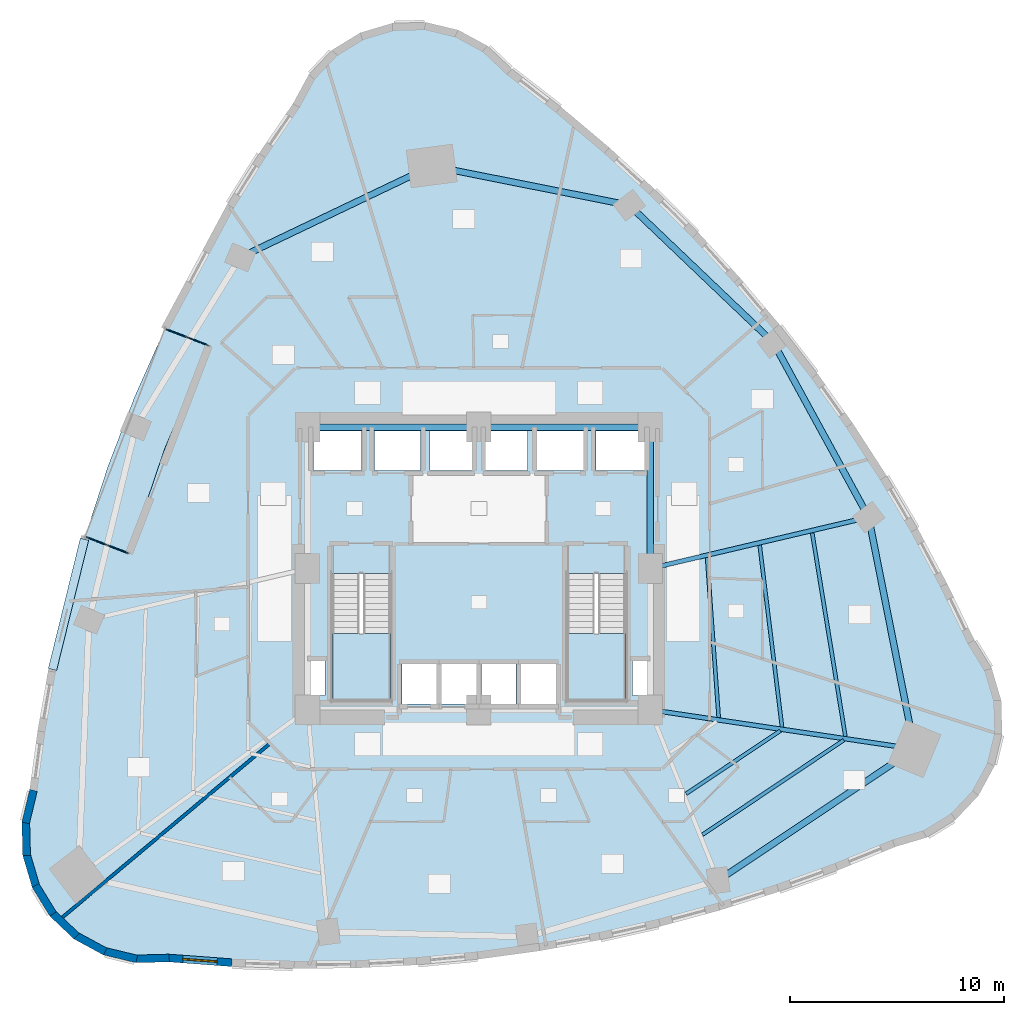
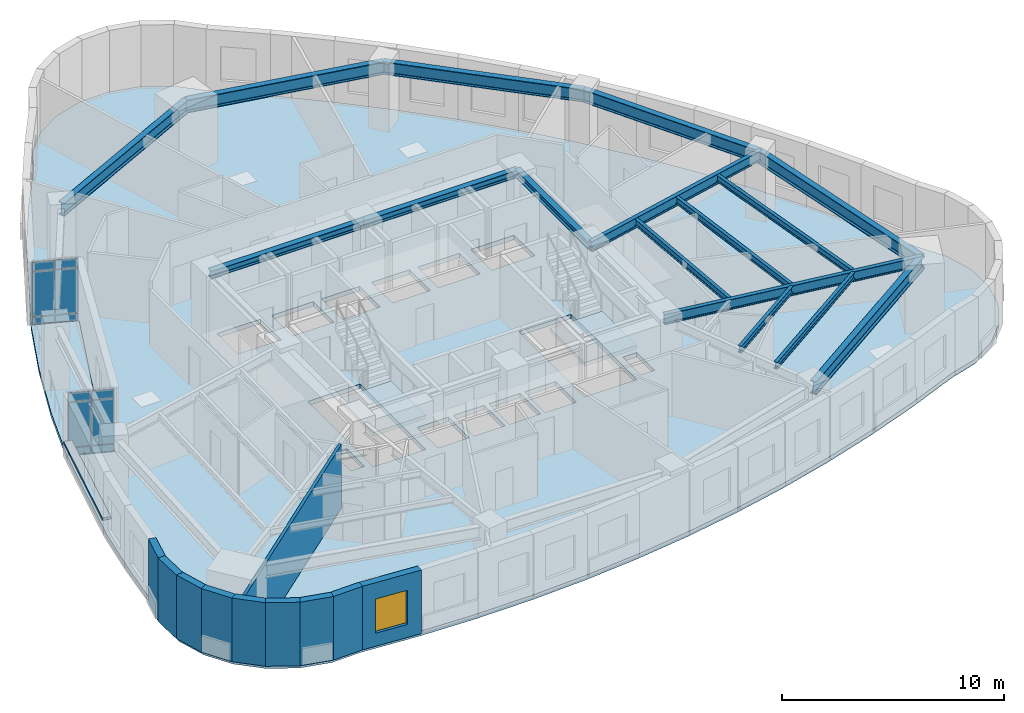
# One storey, part 4 of 12: 16 beams, 13 plates, 10 walls, 4 slabs, 1 window, 1 opening, 4 elements without a shape of their own.
"""IFC4 building model written with IfcOpenShell, lengths in metres."""

import ifcopenshell
import ifcopenshell.guid

model = None  # the IFC model being written
_history = None  # IfcOwnerHistory: only IFC2X3 demands one
_inside = {}  # id of a spatial element -> (the spatial element, [elements in it])
_under = {}  # id of a project, library or spatial element -> (it, [spatial elements below it])
_declared = {}  # id of a project -> (the project, [libraries it declares])
_typed = {}  # id of a type object -> (the type object, [elements of that type])
_made_of = {}  # id of a material, layer set ... -> (it, [elements and type objects made of it])


def new_model(schema):
    """Start an empty IFC model of exactly this schema.

    Asked for "IFC4X3", IfcOpenShell would pick the latest addendum, in which some entities
    have other attributes; the version numbers below select the first issue.
    IFC2X3 requires an IfcOwnerHistory on every rooted entity: one is made here for all.
    """
    global model, _history
    if schema == "IFC4X3":
        model = ifcopenshell.file(schema_version=(4, 3, 0, 0))
    else:
        model = ifcopenshell.file(schema=schema)
    _inside.clear()
    _under.clear()
    _declared.clear()
    _typed.clear()
    _made_of.clear()
    _history = None
    if model.schema == "IFC2X3":
        org = make("IfcOrganization", Name="unknown")
        user = make(
            "IfcPersonAndOrganization",
            ThePerson=make("IfcPerson", FamilyName="unknown"),
            TheOrganization=org,
        )
        app = make(
            "IfcApplication",
            ApplicationDeveloper=org,
            Version="unknown",
            ApplicationFullName="unknown",
            ApplicationIdentifier="unknown",
        )
        _history = make(
            "IfcOwnerHistory",
            OwningUser=user,
            OwningApplication=app,
            ChangeAction="ADDED",
            CreationDate=0,
        )
    return model


def make(cls, **values):
    """One entity of the class cls with the attributes given. An attribute that is None is left unset."""
    return model.create_entity(
        cls, **{name: value for name, value in values.items() if value is not None}
    )


def rooted(cls, **values):
    """An entity with a GlobalId (a new one), such as an element, a storey or a relation."""
    return make(cls, GlobalId=ifcopenshell.guid.new(), OwnerHistory=_history, **values)


def si_unit(unit_type, name, prefix=None):
    """IfcSIUnit, for example si_unit("LENGTHUNIT", "METRE", prefix="MILLI")."""
    return make("IfcSIUnit", UnitType=unit_type, Prefix=prefix, Name=name)


def assignment(units):
    """IfcUnitAssignment: the units of a project."""
    return None if units is None else make("IfcUnitAssignment", Units=units)


def point(xyz):
    """IfcCartesianPoint."""
    return None if xyz is None else make("IfcCartesianPoint", Coordinates=xyz)


def direction(xyz):
    """IfcDirection."""
    return None if xyz is None else make("IfcDirection", DirectionRatios=xyz)


def frame(location, z_axis=None, x_axis=None):
    """IfcAxis2Placement3D, a coordinate frame: its origin and axes. An axis left out is left unset."""
    return make(
        "IfcAxis2Placement3D",
        Location=point(location),
        Axis=direction(z_axis),
        RefDirection=direction(x_axis),
    )


def frame_2d(location, x_axis=None):
    """IfcAxis2Placement2D, a coordinate frame in the plane: its origin and x axis."""
    return make(
        "IfcAxis2Placement2D", Location=point(location), RefDirection=direction(x_axis)
    )


def origin():
    """The frame at (0, 0, 0) with its axes left unset."""
    return frame((0.0, 0.0, 0.0))


def origin_2d():
    """The frame at (0, 0) in the plane with its x axis left unset."""
    return frame_2d((0.0, 0.0))


def place(relative_to, where):
    """IfcLocalPlacement: puts the frame where relative to a parent placement (None: the world)."""
    return make(
        "IfcLocalPlacement", PlacementRelTo=relative_to, RelativePlacement=where
    )


def context(
    kind, dimensions, precision=None, world=None, true_north=None, identifier=None
):
    """IfcGeometricRepresentationContext, for example the 3D "Model" context."""
    return make(
        "IfcGeometricRepresentationContext",
        ContextIdentifier=identifier,
        ContextType=kind,
        CoordinateSpaceDimension=dimensions,
        Precision=precision,
        WorldCoordinateSystem=world,
        TrueNorth=true_north,
    )


def subcontext(parent, identifier, kind, view, scale=None):
    """IfcGeometricRepresentationSubContext, for example "Body" below "Model"."""
    return make(
        "IfcGeometricRepresentationSubContext",
        ContextIdentifier=identifier,
        ContextType=kind,
        ParentContext=parent,
        TargetScale=scale,
        TargetView=view,
    )


def project(units=None, contexts=None):
    """IfcProject with its units and contexts."""
    return rooted(
        "IfcProject",
        Name="project",
        RepresentationContexts=contexts,
        UnitsInContext=assignment(units),
    )


def spatial(cls, under=None, at=None, **own):
    """A site, building, storey or space (cls), placed at a placement, below another one or the project."""
    s = rooted(cls, ObjectPlacement=at, **own)
    if under is not None:
        _under.setdefault(under.id(), (under, []))[1].append(s)
    return s


def polyline(points):
    """IfcPolyline through the points."""
    return make("IfcPolyline", Points=[point(p) for p in points])


def profile(cls, at=None, kind="AREA", **sizes):
    """A parametric profile (cls). Its sizes go by their IFC names, for example OverallWidth=200.0."""
    return make(cls, ProfileType=kind, Position=at, **sizes)


def rectangle(**sizes):
    """IfcRectangleProfileDef."""
    return profile("IfcRectangleProfileDef", **sizes)


def i_section(**sizes):
    """IfcIShapeProfileDef."""
    return profile("IfcIShapeProfileDef", **sizes)


def outline(outer, holes=None, kind="AREA"):
    """IfcArbitraryClosedProfileDef: a profile drawn as a closed curve; with holes, ...WithVoids."""
    if holes is None:
        return make("IfcArbitraryClosedProfileDef", ProfileType=kind, OuterCurve=outer)
    return make(
        "IfcArbitraryProfileDefWithVoids",
        ProfileType=kind,
        OuterCurve=outer,
        InnerCurves=holes,
    )


def extrude(swept, where, along, depth):
    """IfcExtrudedAreaSolid: the profile swept, set in the frame where, extruded along a direction by depth."""
    return make(
        "IfcExtrudedAreaSolid",
        SweptArea=swept,
        Position=where,
        ExtrudedDirection=direction(along),
        Depth=depth,
    )


def shape(context_of_items, identifier, shape_type, items):
    """IfcShapeRepresentation: the items that make up one representation, for example the "Body"."""
    return make(
        "IfcShapeRepresentation",
        ContextOfItems=context_of_items,
        RepresentationIdentifier=identifier,
        RepresentationType=shape_type,
        Items=items,
    )


def material(Name=None, Category=None):
    """IfcMaterial."""
    return make("IfcMaterial", Name=Name, Category=Category)


def layer(
    of_material, thickness, ventilated=None, Name=None, Category=None, Priority=None
):
    """IfcMaterialLayer: one layer of a wall or slab, of a material (None: an air gap)."""
    return make(
        "IfcMaterialLayer",
        Material=of_material,
        LayerThickness=thickness,
        IsVentilated=ventilated,
        Name=Name,
        Category=Category,
        Priority=Priority,
    )


def layer_set(layers, Name=None):
    """IfcMaterialLayerSet."""
    return make("IfcMaterialLayerSet", MaterialLayers=layers, LayerSetName=Name)


def material_profile(
    of_material, cross_section, Name=None, Category=None, Priority=None
):
    """IfcMaterialProfile: a cross section and its material."""
    return make(
        "IfcMaterialProfile",
        Name=Name,
        Material=of_material,
        Profile=cross_section,
        Priority=Priority,
        Category=Category,
    )


def profile_set(profiles, Name=None, composite=None):
    """IfcMaterialProfileSet."""
    return make(
        "IfcMaterialProfileSet",
        Name=Name,
        MaterialProfiles=profiles,
        CompositeProfile=composite,
    )


def made_of(thing, what):
    """Note that an element or type object is made of a material, layer set ...; save() writes the relation."""
    if what is not None:
        _made_of.setdefault(what.id(), (what, []))[1].append(thing)
    return thing


def type_object(cls, material=None, **own):
    """A type object (cls), such as IfcWallType, which elements share."""
    return made_of(rooted(cls, **own), material)


def element(
    cls,
    number,
    at=None,
    inside=None,
    cuts=None,
    type_object=None,
    material=None,
    context=None,
    identifier="Body",
    shape_type=None,
    held_by="IfcProductDefinitionShape",
    body=None,
    shapes=None,
    **own,
):
    """One element of the class cls, such as IfcWall. Its Tag is "e" and its number.

    at: its placement. inside: the storey or other place that contains it. cuts: it is an
    opening in that element (IfcRelVoidsElement). A single representation is given by context,
    identifier, shape_type and body (its items); several are given by shapes. held_by: the class
    of the entity that holds the representations. save() writes the other relations.
    """
    e = rooted(cls, Tag="e%d" % number, ObjectPlacement=at, **own)
    if body is not None:
        shapes = [shape(context, identifier, shape_type, body)]
    if shapes is not None:
        e.Representation = make(held_by, Representations=shapes)
    if inside is not None:
        _inside.setdefault(inside.id(), (inside, []))[1].append(e)
    if cuts is not None:
        rooted(
            "IfcRelVoidsElement", RelatingBuildingElement=cuts, RelatedOpeningElement=e
        )
    if type_object is not None:
        _typed.setdefault(type_object.id(), (type_object, []))[1].append(e)
    return made_of(e, material)


def fill(opening, filler):
    """IfcRelFillsElement: the door or window that sits in an opening."""
    return rooted(
        "IfcRelFillsElement",
        RelatingOpeningElement=opening,
        RelatedBuildingElement=filler,
    )


def aggregate(whole, parts):
    """IfcRelAggregates: a whole, such as a stair, and the parts it consists of."""
    return rooted("IfcRelAggregates", RelatingObject=whole, RelatedObjects=parts)


def save(model, path):
    """Write the relations noted so far, then the file.

    IfcRelAggregates (storeys below a building ...), IfcRelContainedInSpatialStructure (elements
    in a storey), IfcRelDefinesByType, IfcRelAssociatesMaterial and IfcRelDeclares: one each for
    every whole, place, type object, material and project.
    """
    for whole, parts in _under.values():
        aggregate(whole, parts)
    for where, things in _inside.values():
        rooted(
            "IfcRelContainedInSpatialStructure",
            RelatedElements=things,
            RelatingStructure=where,
        )
    for kind, things in _typed.values():
        rooted("IfcRelDefinesByType", RelatedObjects=things, RelatingType=kind)
    for what, things in _made_of.values():
        rooted("IfcRelAssociatesMaterial", RelatedObjects=things, RelatingMaterial=what)
    for by, libraries in _declared.values():
        rooted("IfcRelDeclares", RelatingContext=by, RelatedDefinitions=libraries)
    model.write(path)


model = new_model("IFC4")

# Units and contexts
model_context = context("Model", 3, precision=1e-05, world=origin(), true_north=direction((0.0, 1.0)))
body_context = subcontext(model_context, "Body", "Model", "MODEL_VIEW")
ifc_project = project(units=[si_unit("LENGTHUNIT", "METRE"), si_unit("AREAUNIT", "SQUARE_METRE"), si_unit("VOLUMEUNIT", "CUBIC_METRE"), si_unit("PLANEANGLEUNIT", "RADIAN"), si_unit("MASSUNIT", "GRAM", prefix="KILO")], contexts=[model_context])

# Site, building, storey
site_placement = place(None, origin())
site = spatial("IfcSite", under=ifc_project, at=site_placement, CompositionType="ELEMENT")
building_placement = place(site_placement, origin())
building = spatial("IfcBuilding", under=site, at=building_placement, Name="Ndelora Gate Hotel", CompositionType="ELEMENT")
storey_placement = place(building_placement, frame((0.0, 0.0, 64.25)))
storey = spatial("IfcBuildingStorey", under=building, at=storey_placement, Name="L15", CompositionType="ELEMENT", Elevation=64.25)

# Beams
ifc_material_1 = material(Name="Steel S355", Category="steel")
ifc_material_profile_1 = material_profile(ifc_material_1, i_section(OverallWidth=0.300048828125, OverallDepth=0.39990234375, WebThickness=0.013427734375, FlangeThickness=0.02392578125, FilletRadius=0.027099609375, at=origin_2d()), Name="HEB 400")
ifc_profile_set_1 = profile_set([ifc_material_profile_1], Name="Steel S355")
beam_type_1 = type_object("IfcBeamType", Name="BM-CORE-400", PredefinedType="BEAM", material=ifc_profile_set_1)
for number, where, z_axis, x_axis, name in (
    (1, (-8.0, 6.60009765625, 3.300048828125), (1.0, 0.0, 0.0), (0.0, 1.0, 0.0), "L15 Core Tie Girder CC7-CC6"),
    (2, (0.0, 6.60009765625, 3.300048828125), (1.0, 0.0, 0.0), (0.0, 1.0, 0.0), "L15 Core Tie Girder CC6-CC5"),
):
    element("IfcBeam", number, at=place(storey_placement, frame(where, z_axis=z_axis, x_axis=x_axis)), inside=storey, type_object=beam_type_1, Name=name, PredefinedType="BEAM", context=body_context, shape_type="SweptSolid", body=[
        extrude(i_section(OverallWidth=0.300048828125, OverallDepth=0.39990234375, WebThickness=0.013427734375, FlangeThickness=0.02392578125, FilletRadius=0.027099609375, at=origin_2d()), origin(), (0.0, 0.0, 1.0), 8.0),
    ])
beam_1_placement = place(storey_placement, frame((8.0, 0.0, 3.300048828125), z_axis=(0.0, 1.0, 0.0), x_axis=(-1.0, 0.0, 0.0)))
element("IfcBeam", 3, at=beam_1_placement, inside=storey, type_object=beam_type_1, Name="L15 Core Tie Girder CC4-CC5", PredefinedType="BEAM", context=body_context, shape_type="SweptSolid", body=[
    extrude(i_section(OverallWidth=0.300048828125, OverallDepth=0.39990234375, WebThickness=0.013427734375, FlangeThickness=0.02392578125, FilletRadius=0.027099609375, at=origin_2d()), origin(), (0.0, 0.0, 1.0), 6.60009765625),
])
ifc_material_profile_2 = material_profile(ifc_material_1, i_section(OverallWidth=0.169921875, OverallDepth=0.360107421875, WebThickness=0.008056640625, FlangeThickness=0.0126953125, FilletRadius=0.01806640625, at=origin_2d()), Name="IPE 360")
ifc_profile_set_2 = profile_set([ifc_material_profile_2], Name="Steel S355")
beam_type_2 = type_object("IfcBeamType", Name="BM-JST-360", PredefinedType="JOIST", material=ifc_profile_set_2)
beam_2_placement = place(storey_placement, frame((9.685302734375, -10.520751953125, 3.320068359375), z_axis=(0.83093347578, 0.556371781121, 0.0), x_axis=(-0.556371781121, 0.83093347578, 0.0)))
element("IfcBeam", 4, at=beam_2_placement, inside=storey, type_object=beam_type_2, Name="L15 Secondary Composite Floor Joist MID-8", PredefinedType="JOIST", context=body_context, shape_type="SweptSolid", body=[
    extrude(i_section(OverallWidth=0.169921875, OverallDepth=0.360107421875, WebThickness=0.008056640625, FlangeThickness=0.0126953125, FilletRadius=0.01806640625, at=origin_2d()), origin(), (0.0, 0.0, 1.0), 5.2880859375),
])
beam_3_placement = place(storey_placement, frame((10.448486328125, -12.433349609375, 3.320068359375), z_axis=(0.830936507521, 0.556367253231, 0.0), x_axis=(-0.556367253231, 0.830936507521, 0.0)))
element("IfcBeam", 5, at=beam_3_placement, inside=storey, type_object=beam_type_2, Name="L15 Secondary Composite Floor Joist OUT-8", PredefinedType="JOIST", context=body_context, shape_type="SweptSolid", body=[
    extrude(i_section(OverallWidth=0.169921875, OverallDepth=0.360107421875, WebThickness=0.008056640625, FlangeThickness=0.0126953125, FilletRadius=0.01806640625, at=origin_2d()), origin(), (0.0, 0.0, 1.0), 7.936767578125),
])
beam_4_placement = place(storey_placement, frame((11.20263671875, -6.9609375, 3.320068359375), z_axis=(-0.072176031603, 0.997391909162, 0.0), x_axis=(-0.997391909162, -0.072176031603, 0.0)))
element("IfcBeam", 6, at=beam_4_placement, inside=storey, type_object=beam_type_2, Name="L15 Secondary Composite Floor Joist IN-9", PredefinedType="JOIST", context=body_context, shape_type="SweptSolid", body=[
    extrude(i_section(OverallWidth=0.169921875, OverallDepth=0.360107421875, WebThickness=0.008056640625, FlangeThickness=0.0126953125, FilletRadius=0.01806640625, at=origin_2d()), origin(), (0.0, 0.0, 1.0), 7.489013671875),
])
beam_5_placement = place(storey_placement, frame((14.160888671875, -7.400390625, 3.320068359375), z_axis=(-0.122030984704, 0.992526291225, 0.0), x_axis=(-0.992526291225, -0.122030984704, 0.0)))
element("IfcBeam", 7, at=beam_5_placement, inside=storey, type_object=beam_type_2, Name="L15 Secondary Composite Floor Joist MID-9", PredefinedType="JOIST", context=body_context, shape_type="SweptSolid", body=[
    extrude(i_section(OverallWidth=0.169921875, OverallDepth=0.360107421875, WebThickness=0.008056640625, FlangeThickness=0.0126953125, FilletRadius=0.01806640625, at=origin_2d()), origin(), (0.0, 0.0, 1.0), 8.548828125),
])
beam_6_placement = place(storey_placement, frame((17.12060546875, -7.840087890625, 3.320068359375), z_axis=(-0.160901992796, 0.986970388975, 0.0), x_axis=(-0.986970388975, -0.160901992796, 0.0)))
element("IfcBeam", 8, at=beam_6_placement, inside=storey, type_object=beam_type_2, Name="L15 Secondary Composite Floor Joist OUT-9", PredefinedType="JOIST", context=body_context, shape_type="SweptSolid", body=[
    extrude(i_section(OverallWidth=0.169921875, OverallDepth=0.360107421875, WebThickness=0.008056640625, FlangeThickness=0.0126953125, FilletRadius=0.01806640625, at=origin_2d()), origin(), (0.0, 0.0, 1.0), 9.6259765625),
])
ifc_material_profile_3 = material_profile(ifc_material_1, i_section(OverallWidth=0.2099609375, OverallDepth=0.550048828125, WebThickness=0.010986328125, FlangeThickness=0.01708984375, FilletRadius=0.02392578125, at=origin_2d()), Name="IPE 550")
ifc_profile_set_3 = profile_set([ifc_material_profile_3], Name="Steel S355")
beam_type_3 = type_object("IfcBeamType", Name="BM-RAD-550", PredefinedType="BEAM", material=ifc_profile_set_3)
beam_7_placement = place(storey_placement, frame((8.0, -6.60009765625, 3.22509765625), z_axis=(0.989209761041, -0.146506138649, 0.0), x_axis=(0.146506138649, 0.989209761041, 0.0)))
element("IfcBeam", 9, at=beam_7_placement, inside=storey, type_object=beam_type_3, Name="L15 Radial Floor Girder 9", PredefinedType="BEAM", context=body_context, shape_type="SweptSolid", body=[
    extrude(i_section(OverallWidth=0.2099609375, OverallDepth=0.550048828125, WebThickness=0.010986328125, FlangeThickness=0.01708984375, FilletRadius=0.02392578125, at=origin_2d()), origin(), (0.0, 0.0, 1.0), 12.48486328125),
])
beam_8_placement = place(storey_placement, frame((8.0, 0.0, 3.22509765625), z_axis=(0.973517848051, 0.22861102232, 0.0), x_axis=(-0.22861102232, 0.973517848051, 0.0)))
element("IfcBeam", 10, at=beam_8_placement, inside=storey, type_object=beam_type_3, Name="L15 Radial Floor Girder 10", PredefinedType="BEAM", context=body_context, shape_type="SweptSolid", body=[
    extrude(i_section(OverallWidth=0.2099609375, OverallDepth=0.550048828125, WebThickness=0.010986328125, FlangeThickness=0.01708984375, FilletRadius=0.02392578125, at=origin_2d()), origin(), (0.0, 0.0, 1.0), 10.48486328125),
])
ifc_material_profile_4 = material_profile(ifc_material_1, i_section(OverallWidth=0.300048828125, OverallDepth=0.699951171875, WebThickness=0.01708984375, FlangeThickness=0.031982421875, FilletRadius=0.027099609375, at=origin_2d()), Name="HEB 700")
ifc_profile_set_4 = profile_set([ifc_material_profile_4], Name="Steel S355")
beam_type_4 = type_object("IfcBeamType", Name="BM-RING-700", PredefinedType="SPANDREL", material=ifc_profile_set_4)
beam_9_placement = place(storey_placement, frame((-2.199951171875, 18.800048828125, 3.14990234375), z_axis=(-0.902476034566, -0.43074006899, 0.0), x_axis=(0.43074006899, -0.902476034566, 0.0)))
element("IfcBeam", 11, at=beam_9_placement, inside=storey, type_object=beam_type_4, Name="L15 Perimeter Spandrel Girder 1", PredefinedType="SPANDREL", context=body_context, shape_type="SweptSolid", body=[
    extrude(i_section(OverallWidth=0.300048828125, OverallDepth=0.699951171875, WebThickness=0.01708984375, FlangeThickness=0.031982421875, FilletRadius=0.027099609375, at=origin_2d()), origin(), (0.0, 0.0, 1.0), 9.91552734375),
])
beam_10_placement = place(storey_placement, frame((11.179443359375, -14.5693359375, 3.14990234375), z_axis=(0.830945983886, 0.556353099985, 0.0), x_axis=(-0.556353099985, 0.830945983886, 0.0)))
element("IfcBeam", 12, at=beam_10_placement, inside=storey, type_object=beam_type_4, Name="L15 Perimeter Spandrel Girder 8", PredefinedType="SPANDREL", context=body_context, shape_type="SweptSolid", body=[
    extrude(i_section(OverallWidth=0.300048828125, OverallDepth=0.699951171875, WebThickness=0.01708984375, FlangeThickness=0.031982421875, FilletRadius=0.027099609375, at=origin_2d()), origin(), (0.0, 0.0, 1.0), 11.036376953125),
])
beam_11_placement = place(storey_placement, frame((20.35009765625, -8.42919921875, 3.14990234375), z_axis=(-0.194163071691, 0.980969266385, 0.0), x_axis=(-0.980969266385, -0.194163071691, 0.0)))
element("IfcBeam", 13, at=beam_11_placement, inside=storey, type_object=beam_type_4, Name="L15 Perimeter Spandrel Girder 9", PredefinedType="SPANDREL", context=body_context, shape_type="SweptSolid", body=[
    extrude(i_section(OverallWidth=0.300048828125, OverallDepth=0.699951171875, WebThickness=0.01708984375, FlangeThickness=0.031982421875, FilletRadius=0.027099609375, at=origin_2d()), origin(), (0.0, 0.0, 1.0), 11.0361328125),
])
for number, where, z_axis, x_axis, name in (
    (14, (18.207275390625, 2.39697265625, 3.14990234375), (-0.479203651005, 0.87770374322, 0.0), (-0.87770374322, -0.479203651005, 0.0), "L15 Perimeter Spandrel Girder 10"),
    (15, (13.75390625, 10.5537109375, 3.14990234375), (-0.723784227769, 0.690026370244, 0.0), (-0.690026370244, -0.723784227769, 0.0), "L15 Perimeter Spandrel Girder 11"),
):
    element("IfcBeam", number, at=place(storey_placement, frame(where, z_axis=z_axis, x_axis=x_axis)), inside=storey, type_object=beam_type_4, Name=name, PredefinedType="SPANDREL", context=body_context, shape_type="SweptSolid", body=[
        extrude(i_section(OverallWidth=0.300048828125, OverallDepth=0.699951171875, WebThickness=0.01708984375, FlangeThickness=0.031982421875, FilletRadius=0.027099609375, at=origin_2d()), origin(), (0.0, 0.0, 1.0), 9.293212890625),
    ])
beam_12_placement = place(storey_placement, frame((7.027587890625, 16.96630859375, 3.14990234375), z_axis=(-0.980820478164, 0.194913287424, 0.0), x_axis=(-0.194913287424, -0.980820478164, 0.0)))
element("IfcBeam", 16, at=beam_12_placement, inside=storey, type_object=beam_type_4, Name="L15 Perimeter Spandrel Girder 12", PredefinedType="SPANDREL", context=body_context, shape_type="SweptSolid", body=[
    extrude(i_section(OverallWidth=0.300048828125, OverallDepth=0.699951171875, WebThickness=0.01708984375, FlangeThickness=0.031982421875, FilletRadius=0.027099609375, at=origin_2d()), origin(), (0.0, 0.0, 1.0), 9.407958984375),
])

# Curtain wall, plates
ifc_material_2 = material(Name="Bronze Anodised Unitised Aluminium and Low-E Glass", Category="aluminium")
ifc_layer_1 = layer(ifc_material_2, 0.199951171875)
ifc_layer_set_1 = layer_set([ifc_layer_1], Name="Bronze Anodised Unitised Aluminium and Low-E Glass")
curtain_wall_type = type_object("IfcCurtainWallType", Name="CW-SYS-3", PredefinedType="NOTDEFINED", material=ifc_layer_set_1)
curtain_wall_1_placement = place(storey_placement, origin())
curtain_wall_1 = element("IfcCurtainWall", 17, at=curtain_wall_1_placement, inside=storey, type_object=curtain_wall_type, Name="L15 Sky-Garden Loggia Side Curtain Wall CW3-1", PredefinedType="NOTDEFINED")
ifc_material_3 = material(Name="Solar-Control Low-E Insulated Glazing", Category="glass")
ifc_layer_2 = layer(ifc_material_3, 0.048095703125)
ifc_layer_set_2 = layer_set([ifc_layer_2], Name="Solar-Control Low-E Insulated Glazing")
plate_type_1 = type_object("IfcPlateType", Name="PL-CW-GLZ36", PredefinedType="CURTAIN_PANEL", material=ifc_layer_set_2)
plate_1_placement = place(storey_placement, frame((-13.13720703125, 10.613037109375, 0.05908203125), z_axis=(0.0, 0.0, 1.0), x_axis=(-0.93358321574, 0.358360683234, 0.0)))
plate_1 = element("IfcPlate", 18, at=plate_1_placement, type_object=plate_type_1, Name="CW3 panel 1.1", PredefinedType="CURTAIN_PANEL", context=body_context, shape_type="SweptSolid", body=[
    extrude(rectangle(XDim=1.014404296875, YDim=0.048095703125, at=origin_2d()), origin(), (0.0, 0.0, 1.0), 0.364501953125),
])
plate_2_placement = place(storey_placement, frame((-13.13720703125, 10.613037109375, 0.4765625), z_axis=(0.0, 0.0, 1.0), x_axis=(-0.93358321574, 0.358360683234, 0.0)))
plate_2 = element("IfcPlate", 19, at=plate_2_placement, type_object=plate_type_1, Name="CW3 panel 1.2", PredefinedType="CURTAIN_PANEL", context=body_context, shape_type="SweptSolid", body=[
    extrude(rectangle(XDim=1.014404296875, YDim=0.048095703125, at=origin_2d()), origin(), (0.0, 0.0, 1.0), 2.447021484375),
])
plate_3_placement = place(storey_placement, frame((-13.13720703125, 10.613037109375, 2.9765625), z_axis=(0.0, 0.0, 1.0), x_axis=(-0.93358321574, 0.358360683234, 0.0)))
plate_3 = element("IfcPlate", 20, at=plate_3_placement, type_object=plate_type_1, Name="CW3 panel 1.3", PredefinedType="CURTAIN_PANEL", context=body_context, shape_type="SweptSolid", body=[
    extrude(rectangle(XDim=1.014404296875, YDim=0.048095703125, at=origin_2d()), origin(), (0.0, 0.0, 1.0), 0.464599609375),
])
plate_4_placement = place(storey_placement, frame((-14.1337890625, 10.995361328125, 0.05908203125), z_axis=(0.0, 0.0, 1.0), x_axis=(-0.93358321574, 0.358360683234, 0.0)))
plate_4 = element("IfcPlate", 21, at=plate_4_placement, type_object=plate_type_1, Name="CW3 panel 2.1", PredefinedType="CURTAIN_PANEL", context=body_context, shape_type="SweptSolid", body=[
    extrude(rectangle(XDim=1.014404296875, YDim=0.048095703125, at=origin_2d()), origin(), (0.0, 0.0, 1.0), 0.364501953125),
])
plate_5_placement = place(storey_placement, frame((-14.1337890625, 10.995361328125, 0.4765625), z_axis=(0.0, 0.0, 1.0), x_axis=(-0.93358321574, 0.358360683234, 0.0)))
plate_5 = element("IfcPlate", 22, at=plate_5_placement, type_object=plate_type_1, Name="CW3 panel 2.2", PredefinedType="CURTAIN_PANEL", context=body_context, shape_type="SweptSolid", body=[
    extrude(rectangle(XDim=1.014404296875, YDim=0.048095703125, at=origin_2d()), origin(), (0.0, 0.0, 1.0), 2.447021484375),
])
plate_6_placement = place(storey_placement, frame((-14.1337890625, 10.995361328125, 2.9765625), z_axis=(0.0, 0.0, 1.0), x_axis=(-0.93358321574, 0.358360683234, 0.0)))
plate_6 = element("IfcPlate", 23, at=plate_6_placement, type_object=plate_type_1, Name="CW3 panel 2.3", PredefinedType="CURTAIN_PANEL", context=body_context, shape_type="SweptSolid", body=[
    extrude(rectangle(XDim=1.014404296875, YDim=0.048095703125, at=origin_2d()), origin(), (0.0, 0.0, 1.0), 0.464599609375),
])
aggregate(curtain_wall_1, [plate_1, plate_2, plate_3, plate_4, plate_5, plate_6])

curtain_wall_2_placement = place(storey_placement, origin())
curtain_wall_2 = element("IfcCurtainWall", 24, at=curtain_wall_2_placement, inside=storey, type_object=curtain_wall_type, Name="L15 Sky-Garden Loggia Side Curtain Wall CW3-2", PredefinedType="NOTDEFINED")
plate_7_placement = place(storey_placement, frame((-17.86083984375, 1.2861328125, 0.05908203125), z_axis=(0.0, 0.0, 1.0), x_axis=(0.933577378035, -0.35837589096, 0.0)))
plate_7 = element("IfcPlate", 25, at=plate_7_placement, type_object=plate_type_1, Name="CW3 panel 1.1", PredefinedType="CURTAIN_PANEL", context=body_context, shape_type="SweptSolid", body=[
    extrude(rectangle(XDim=1.014404296875, YDim=0.048095703125, at=origin_2d()), origin(), (0.0, 0.0, 1.0), 0.364501953125),
])
plate_8_placement = place(storey_placement, frame((-17.86083984375, 1.2861328125, 0.4765625), z_axis=(0.0, 0.0, 1.0), x_axis=(0.933577378035, -0.35837589096, 0.0)))
plate_8 = element("IfcPlate", 26, at=plate_8_placement, type_object=plate_type_1, Name="CW3 panel 1.2", PredefinedType="CURTAIN_PANEL", context=body_context, shape_type="SweptSolid", body=[
    extrude(rectangle(XDim=1.014404296875, YDim=0.048095703125, at=origin_2d()), origin(), (0.0, 0.0, 1.0), 2.447021484375),
])
plate_9_placement = place(storey_placement, frame((-17.86083984375, 1.2861328125, 2.9765625), z_axis=(0.0, 0.0, 1.0), x_axis=(0.933577378035, -0.35837589096, 0.0)))
plate_9 = element("IfcPlate", 27, at=plate_9_placement, type_object=plate_type_1, Name="CW3 panel 1.3", PredefinedType="CURTAIN_PANEL", context=body_context, shape_type="SweptSolid", body=[
    extrude(rectangle(XDim=1.014404296875, YDim=0.048095703125, at=origin_2d()), origin(), (0.0, 0.0, 1.0), 0.464599609375),
])
plate_10_placement = place(storey_placement, frame((-16.8642578125, 0.903564453125, 0.05908203125), z_axis=(0.0, 0.0, 1.0), x_axis=(0.933577378035, -0.35837589096, 0.0)))
plate_10 = element("IfcPlate", 28, at=plate_10_placement, type_object=plate_type_1, Name="CW3 panel 2.1", PredefinedType="CURTAIN_PANEL", context=body_context, shape_type="SweptSolid", body=[
    extrude(rectangle(XDim=1.014404296875, YDim=0.048095703125, at=origin_2d()), origin(), (0.0, 0.0, 1.0), 0.364501953125),
])
plate_11_placement = place(storey_placement, frame((-16.8642578125, 0.903564453125, 0.4765625), z_axis=(0.0, 0.0, 1.0), x_axis=(0.933577378035, -0.35837589096, 0.0)))
plate_11 = element("IfcPlate", 29, at=plate_11_placement, type_object=plate_type_1, Name="CW3 panel 2.2", PredefinedType="CURTAIN_PANEL", context=body_context, shape_type="SweptSolid", body=[
    extrude(rectangle(XDim=1.014404296875, YDim=0.048095703125, at=origin_2d()), origin(), (0.0, 0.0, 1.0), 2.447021484375),
])
plate_12_placement = place(storey_placement, frame((-16.8642578125, 0.903564453125, 2.9765625), z_axis=(0.0, 0.0, 1.0), x_axis=(0.933577378035, -0.35837589096, 0.0)))
plate_12 = element("IfcPlate", 30, at=plate_12_placement, type_object=plate_type_1, Name="CW3 panel 2.3", PredefinedType="CURTAIN_PANEL", context=body_context, shape_type="SweptSolid", body=[
    extrude(rectangle(XDim=1.014404296875, YDim=0.048095703125, at=origin_2d()), origin(), (0.0, 0.0, 1.0), 0.464599609375),
])
aggregate(curtain_wall_2, [plate_7, plate_8, plate_9, plate_10, plate_11, plate_12])

# Plate
ifc_material_4 = material(Name="Precast concrete C40/50", Category="concrete")
ifc_layer_3 = layer(ifc_material_4, 0.125)
ifc_layer_set_3 = layer_set([ifc_layer_3], Name="Precast concrete C40/50")
plate_type_2 = type_object("IfcPlateType", Name="PL-SILL-120", PredefinedType="USERDEFINED", material=ifc_layer_set_3)
plate_13_placement = place(storey_placement, frame((-19.16748046875, -1.674560546875, 0.78759765625), z_axis=(0.0, 0.0, 1.0), x_axis=(0.238702948851, 0.971092633177, 0.0)))
element("IfcPlate", 31, at=plate_13_placement, inside=storey, type_object=plate_type_2, Name="L15 Streamline Precast Ribbon Sill 16", ObjectType="RIBBON_SILL", PredefinedType="USERDEFINED", context=body_context, shape_type="SweptSolid", body=[
    extrude(rectangle(XDim=6.26611328125, YDim=0.39990234375, at=origin_2d()), origin(), (0.0, 0.0, 1.0), 0.125),
])

# Stair, slab
stair_type = type_object("IfcStairType", Name="STR-DOG-CORE", PredefinedType="HALF_TURN_STAIR", material=ifc_material_4)
stair_1_placement = place(storey_placement, origin())
stair_1 = element("IfcStair", 32, at=stair_1_placement, inside=storey, type_object=stair_type, Name="L15 Protected Core Exit Stair ST4", PredefinedType="HALF_TURN_STAIR")
ifc_layer_4 = layer(ifc_material_4, 0.219970703125)
ifc_layer_set_4 = layer_set([ifc_layer_4], Name="Precast concrete C40/50")
slab_type_1 = type_object("IfcSlabType", Name="SL-LAND-220", PredefinedType="LANDING", material=ifc_layer_set_4)
slab_1_placement = place(storey_placement, frame((0.0, 0.0, 1.675048828125)))
slab_1 = element("IfcSlab", 33, at=slab_1_placement, type_object=slab_type_1, Name="ST4 landing 1", PredefinedType="LANDING", context=body_context, shape_type="SweptSolid", body=[
    extrude(outline(polyline([(-6.85009765625, -3.030029296875), (-6.85009765625, -6.14990234375), (-4.1298828125, -6.14990234375), (-4.1298828125, -3.030029296875), (-6.85009765625, -3.030029296875)])), origin(), (0.0, 0.0, 1.0), 0.199951171875),
])
aggregate(stair_1, [slab_1])

stair_2_placement = place(storey_placement, origin())
stair_2 = element("IfcStair", 34, at=stair_2_placement, inside=storey, type_object=stair_type, Name="L15 Protected Core Exit Stair ST5", PredefinedType="HALF_TURN_STAIR")
slab_2_placement = place(storey_placement, frame((0.0, 0.0, 1.675048828125)))
slab_2 = element("IfcSlab", 35, at=slab_2_placement, type_object=slab_type_1, Name="ST5 landing 1", PredefinedType="LANDING", context=body_context, shape_type="SweptSolid", body=[
    extrude(outline(polyline([(4.1298828125, -3.030029296875), (4.1298828125, -6.14990234375), (6.85009765625, -6.14990234375), (6.85009765625, -3.030029296875), (4.1298828125, -3.030029296875)])), origin(), (0.0, 0.0, 1.0), 0.199951171875),
])
aggregate(stair_2, [slab_2])

# Slabs
ifc_layer_5 = layer(ifc_material_4, 0.239990234375)
ifc_layer_set_5 = layer_set([ifc_layer_5], Name="Precast concrete C40/50")
slab_type_2 = type_object("IfcSlabType", Name="SL-TER-240", PredefinedType="FLOOR", material=ifc_layer_set_5)
slab_3_placement = place(storey_placement, frame((0.0, 0.0, -0.239990234375)))
element("IfcSlab", 36, at=slab_3_placement, inside=storey, type_object=slab_type_2, Name="L15 Sky Garden Loggia Terrace Slab", PredefinedType="FLOOR", context=body_context, shape_type="SweptSolid", body=[
    extrude(outline(polyline([(-12.608642578125, 10.409912109375), (-14.66259765625, 11.198486328125), (-16.059326171875, 8.058349609375), (-17.326416015625, 4.757080078125), (-18.389404296875, 1.489013671875), (-16.335693359375, 0.70068359375), (-14.660888671875, 5.627685546875), (-12.608642578125, 10.409912109375)])), origin(), (0.0, 0.0, 1.0), 0.239990234375),
])
ifc_material_5 = material(Name="Concrete C40/50", Category="concrete")
ifc_layer_6 = layer(ifc_material_5, 0.25)
ifc_layer_set_6 = layer_set([ifc_layer_6], Name="Concrete C40/50")
slab_type_3 = type_object("IfcSlabType", Name="SL-TWR-250", PredefinedType="FLOOR", material=ifc_layer_set_6)
slab_4_placement = place(storey_placement, frame((0.0, 0.0, -0.25)))
element("IfcSlab", 37, at=slab_4_placement, inside=storey, type_object=slab_type_3, Name="L15 Structural Floor Slab", PredefinedType="FLOOR", context=body_context, shape_type="SweptSolid", body=[
    extrude(outline(polyline([(1.40869140625, 23.214111328125), (0.310546875, 24.25634765625), (-1.02001953125, 24.978759765625), (-2.492431640625, 25.332275390625), (-4.006103515625, 25.29248046875), (-5.457763671875, 24.862548828125), (-6.748779296875, 24.0712890625), (-7.791015625, 22.97314453125), (-8.513427734375, 21.642578125), (-10.101806640625, 19.312255859375), (-11.584716796875, 16.941650390625), (-14.66259765625, 11.198486328125), (-12.608642578125, 10.409912109375), (-14.660888671875, 5.627685546875), (-16.335693359375, 0.70068359375), (-18.389404296875, 1.489013671875), (-19.9453125, -4.83837890625), (-20.429443359375, -7.592529296875), (-20.808349609375, -10.386962890625), (-21.161865234375, -11.859130859375), (-21.122314453125, -13.372802734375), (-20.692138671875, -14.82470703125), (-19.90087890625, -16.115478515625), (-18.802734375, -17.15771484375), (-17.47216796875, -17.88037109375), (-16.0, -18.233642578125), (-14.486328125, -18.194091796875), (-11.557373046875, -18.410888671875), (-8.6474609375, -18.5068359375), (-5.756591796875, -18.48193359375), (-2.885009765625, -18.336669921875), (-0.03271484375, -18.0703125), (2.80078125, -17.68359375), (5.614990234375, -17.17578125), (8.41015625, -16.547607421875), (11.186279296875, -15.798583984375), (13.943115234375, -14.9287109375), (16.680908203125, -13.938232421875), (19.3994140625, -12.8271484375), (20.851318359375, -12.397216796875), (22.142333984375, -11.60595703125), (23.1845703125, -10.5078125), (23.906982421875, -9.177001953125), (24.260498046875, -7.704833984375), (24.220703125, -6.191162109375), (23.790771484375, -4.739501953125), (22.999755859375, -3.448486328125), (21.722900390625, -0.803466796875), (20.35107421875, 1.764404296875), (18.88427734375, 4.255615234375), (17.322509765625, 6.669677734375), (15.665771484375, 9.007080078125), (13.9140625, 11.267333984375), (12.067138671875, 13.45068359375), (10.12548828125, 15.55712890625), (8.0888671875, 17.5869140625), (5.95703125, 19.53955078125), (3.73046875, 21.415283203125), (1.40869140625, 23.214111328125)]), holes=[polyline([(-6.85009765625, -0.22998046875), (-6.85009765625, -6.14990234375), (-4.1298828125, -6.14990234375), (-4.1298828125, -0.22998046875), (-6.85009765625, -0.22998046875)]), polyline([(4.1298828125, -0.22998046875), (4.1298828125, -6.14990234375), (6.85009765625, -6.14990234375), (6.85009765625, -0.22998046875), (4.1298828125, -0.22998046875)]), polyline([(-7.72998046875, 4.570068359375), (-5.469970703125, 4.570068359375), (-5.469970703125, 6.429931640625), (-7.72998046875, 6.429931640625), (-7.72998046875, 4.570068359375)]), polyline([(5.469970703125, 4.570068359375), (7.72998046875, 4.570068359375), (7.72998046875, 6.429931640625), (5.469970703125, 6.429931640625), (5.469970703125, 4.570068359375)]), polyline([(-4.8798828125, 4.570068359375), (-2.719970703125, 4.570068359375), (-2.719970703125, 6.429931640625), (-4.8798828125, 6.429931640625), (-4.8798828125, 4.570068359375)]), polyline([(2.719970703125, 4.570068359375), (4.8798828125, 4.570068359375), (4.8798828125, 6.429931640625), (2.719970703125, 6.429931640625), (2.719970703125, 4.570068359375)]), polyline([(-3.60009765625, -6.330078125), (-1.97998046875, -6.330078125), (-1.97998046875, -4.469970703125), (-3.60009765625, -4.469970703125), (-3.60009765625, -6.330078125)]), polyline([(-1.739990234375, -6.330078125), (-0.1201171875, -6.330078125), (-0.1201171875, -4.469970703125), (-1.739990234375, -4.469970703125), (-1.739990234375, -6.330078125)]), polyline([(0.1201171875, -6.330078125), (1.739990234375, -6.330078125), (1.739990234375, -4.469970703125), (0.1201171875, -4.469970703125), (0.1201171875, -6.330078125)]), polyline([(1.97998046875, -6.330078125), (3.60009765625, -6.330078125), (3.60009765625, -4.469970703125), (1.97998046875, -4.469970703125), (1.97998046875, -6.330078125)]), polyline([(-2.280029296875, 4.570068359375), (-0.320068359375, 4.570068359375), (-0.320068359375, 6.429931640625), (-2.280029296875, 6.429931640625), (-2.280029296875, 4.570068359375)]), polyline([(0.320068359375, 4.570068359375), (2.280029296875, 4.570068359375), (2.280029296875, 6.429931640625), (0.320068359375, 6.429931640625), (0.320068359375, 4.570068359375)]), polyline([(-7.89990234375, -5.919921875), (-7.179931640625, -5.919921875), (-7.179931640625, -4.320068359375), (-7.89990234375, -4.320068359375), (-7.89990234375, -5.919921875)]), polyline([(7.179931640625, -5.919921875), (7.89990234375, -5.919921875), (7.89990234375, -4.320068359375), (7.179931640625, -4.320068359375), (7.179931640625, -5.919921875)])]), origin(), (0.0, 0.0, 1.0), 0.25),
])

# Walls
ifc_material_6 = material(Name="Clay Brick Masonry", Category="masonry")
ifc_layer_7 = layer(ifc_material_6, 0.360107421875)
ifc_layer_set_7 = layer_set([ifc_layer_7], Name="Clay Brick Masonry")
wall_type_1 = type_object("IfcWallType", Name="WL-BRICK-360", PredefinedType="SOLIDWALL", material=ifc_layer_set_7)
for number, where, z_axis, x_axis, name in (
    (38, (-21.16748046875, -11.883544921875, 0.0), (0.0, 0.0, 1.0), (0.233378856641, 0.972385884962, 0.0), "L15 Tower Brick Pier-and-Spandrel Wall TWR-19"),
    (39, (-21.12158203125, -13.397705078125, 0.0), (0.0, 0.0, 1.0), (-0.026224581645, 0.999656076517, 0.0), "L15 Tower Brick Pier-and-Spandrel Wall TWR-20"),
):
    element("IfcWall", number, at=place(storey_placement, frame(where, z_axis=z_axis, x_axis=x_axis)), inside=storey, type_object=wall_type_1, Name=name, PredefinedType="SOLIDWALL", context=body_context, shape_type="SweptSolid", body=[
        extrude(rectangle(XDim=1.56396484375, YDim=0.360107421875, at=frame_2d((0.781982421875, 0.0))), origin(), (0.0, 0.0, 1.0), 3.5),
    ])
wall_1_placement = place(storey_placement, frame((-20.68505859375, -14.8486328125, 0.0), z_axis=(0.0, 0.0, 1.0), x_axis=(-0.284067072714, 0.958804410816, 0.0)))
element("IfcWall", 40, at=wall_1_placement, inside=storey, type_object=wall_type_1, Name="L15 Tower Brick Pier-and-Spandrel Wall TWR-21", PredefinedType="SOLIDWALL", context=body_context, shape_type="SweptSolid", body=[
    extrude(rectangle(XDim=1.564208984375, YDim=0.360107421875, at=frame_2d((0.7822265625, 0.0))), origin(), (0.0, 0.0, 1.0), 3.5),
])
for number, where, z_axis, x_axis, name in (
    (41, (-19.887939453125, -16.13671875, 0.0), (0.0, 0.0, 1.0), (-0.522598660144, 0.852578817714, 0.0), "L15 Tower Brick Pier-and-Spandrel Wall TWR-22"),
    (42, (-18.78466796875, -17.175048828125, 0.0), (0.0, 0.0, 1.0), (-0.725361771345, 0.688367852729, 0.0), "L15 Tower Brick Pier-and-Spandrel Wall TWR-23"),
    (43, (-17.4501953125, -17.89208984375, 0.0), (0.0, 0.0, 1.0), (-0.878872132115, 0.477057413098, 0.0), "L15 Tower Brick Pier-and-Spandrel Wall TWR-24"),
    (44, (-15.9755859375, -18.239501953125, 0.0), (0.0, 0.0, 1.0), (-0.972385884962, 0.233378856641, 0.0), "L15 Tower Brick Pier-and-Spandrel Wall TWR-25"),
):
    element("IfcWall", number, at=place(storey_placement, frame(where, z_axis=z_axis, x_axis=x_axis)), inside=storey, type_object=wall_type_1, Name=name, PredefinedType="SOLIDWALL", context=body_context, shape_type="SweptSolid", body=[
        extrude(rectangle(XDim=1.56396484375, YDim=0.360107421875, at=frame_2d((0.781982421875, 0.0))), origin(), (0.0, 0.0, 1.0), 3.5),
    ])
wall_2_placement = place(storey_placement, frame((-14.461181640625, -18.193359375, 0.0), z_axis=(0.0, 0.0, 1.0), x_axis=(-0.999656183846, -0.026220490068, 0.0)))
element("IfcWall", 45, at=wall_2_placement, inside=storey, type_object=wall_type_1, Name="L15 Tower Brick Pier-and-Spandrel Wall TWR-26", PredefinedType="SOLIDWALL", context=body_context, shape_type="SweptSolid", body=[
    extrude(rectangle(XDim=1.564208984375, YDim=0.360107421875, at=frame_2d((0.7822265625, 0.0))), origin(), (0.0, 0.0, 1.0), 3.5),
])

# Wall, opening, window
wall_3_placement = place(storey_placement, frame((-11.532470703125, -18.41259765625, 0.0), z_axis=(0.0, 0.0, 1.0), x_axis=(-0.997278449025, 0.073727166709, 0.0)))
wall_3 = element("IfcWall", 46, at=wall_3_placement, inside=storey, type_object=wall_type_1, Name="L15 Tower Brick Pier-and-Spandrel Wall TWR-27", PredefinedType="SOLIDWALL", context=body_context, shape_type="SweptSolid", body=[
    extrude(rectangle(XDim=2.98681640625, YDim=0.360107421875, at=frame_2d((1.493408203125, 0.0))), origin(), (0.0, 0.0, 1.0), 3.5),
])
opening_placement = place(wall_3_placement, frame((0.693603515625, 0.0, 0.719970703125)))
opening = element("IfcOpeningElement", 47, at=opening_placement, cuts=wall_3, Name="Opening W01", PredefinedType="OPENING", context=body_context, shape_type="SweptSolid", body=[
    extrude(rectangle(XDim=1.60009765625, YDim=1.8798828125, at=frame_2d((0.800048828125, 0.93994140625))), frame((0.0, 0.18994140625, 0.0), z_axis=(0.0, -1.0, 0.0), x_axis=(1.0, 0.0, 0.0)), (0.0, 0.0, 1.0), 0.380126953125),
])
ifc_material_7 = material(Name="Insulated Low-E Double Glazing in Bronze Aluminium Frame", Category="aluminium")
window_type = type_object("IfcWindowType", Name="WN-DEEP-1600", PartitioningType="SINGLE_PANEL", PredefinedType="WINDOW", material=ifc_material_7)
window_placement = place(opening_placement, origin())
window = element("IfcWindow", 48, at=window_placement, inside=storey, type_object=window_type, Name="L15 Deep-Set Brick-Pier Window W01", OverallHeight=1.8798828125, OverallWidth=1.60009765625, PartitioningType="SINGLE_PANEL", PredefinedType="WINDOW", context=body_context, shape_type="SweptSolid", body=[
    extrude(rectangle(XDim=1.60009765625, YDim=1.8798828125, at=frame_2d((0.800048828125, 0.93994140625))), frame((0.0, 0.030029296875, 0.0), z_axis=(0.0, -1.0, 0.0), x_axis=(1.0, 0.0, 0.0)), (0.0, 0.0, 1.0), 0.06005859375),
])
fill(opening, window)

# Wall
ifc_material_8 = material(Name="Fire-Rated Gypsum Stud Partition", Category="gypsum")
ifc_layer_8 = layer(ifc_material_8, 0.14990234375)
ifc_layer_set_8 = layer_set([ifc_layer_8], Name="Fire-Rated Gypsum Stud Partition")
wall_type_2 = type_object("IfcWallType", Name="WL-PART-150", PredefinedType="PARTITIONING", material=ifc_layer_set_8)
wall_4_placement = place(storey_placement, frame((-9.75634765625, -8.173583984375, 0.0), z_axis=(0.0, 0.0, 1.0), x_axis=(-0.766555678026, -0.642177851134, 0.0)))
element("IfcWall", 49, at=wall_4_placement, inside=storey, type_object=wall_type_2, Name="L15 Interior Wall IW-5", PredefinedType="PARTITIONING", context=body_context, shape_type="SweptSolid", body=[
    extrude(rectangle(XDim=12.82763671875, YDim=0.14990234375, at=frame_2d((6.413818359375, 0.0))), origin(), (0.0, 0.0, 1.0), 3.5),
])

save(model, "model.ifc")
